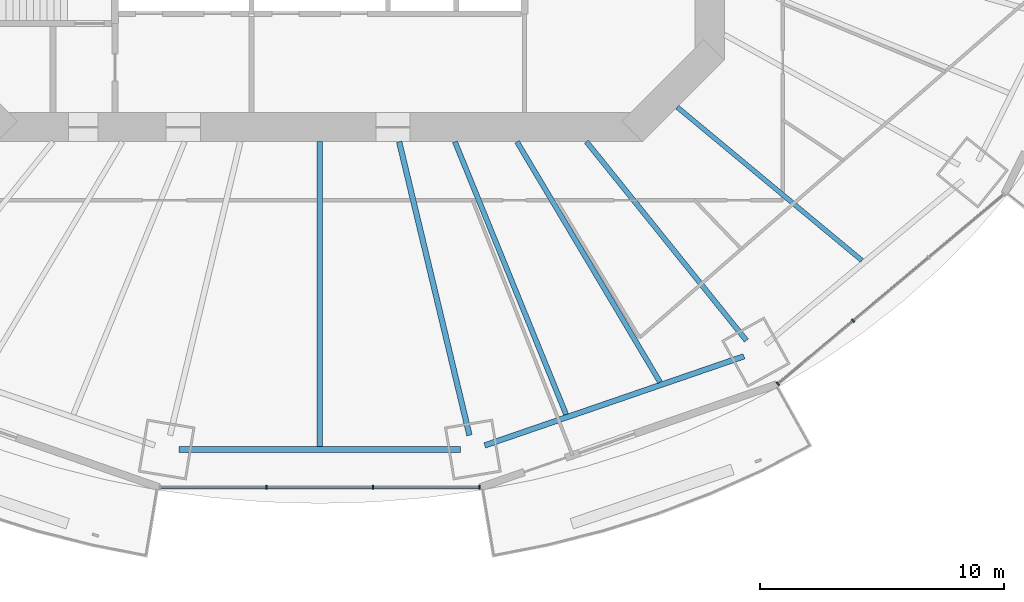
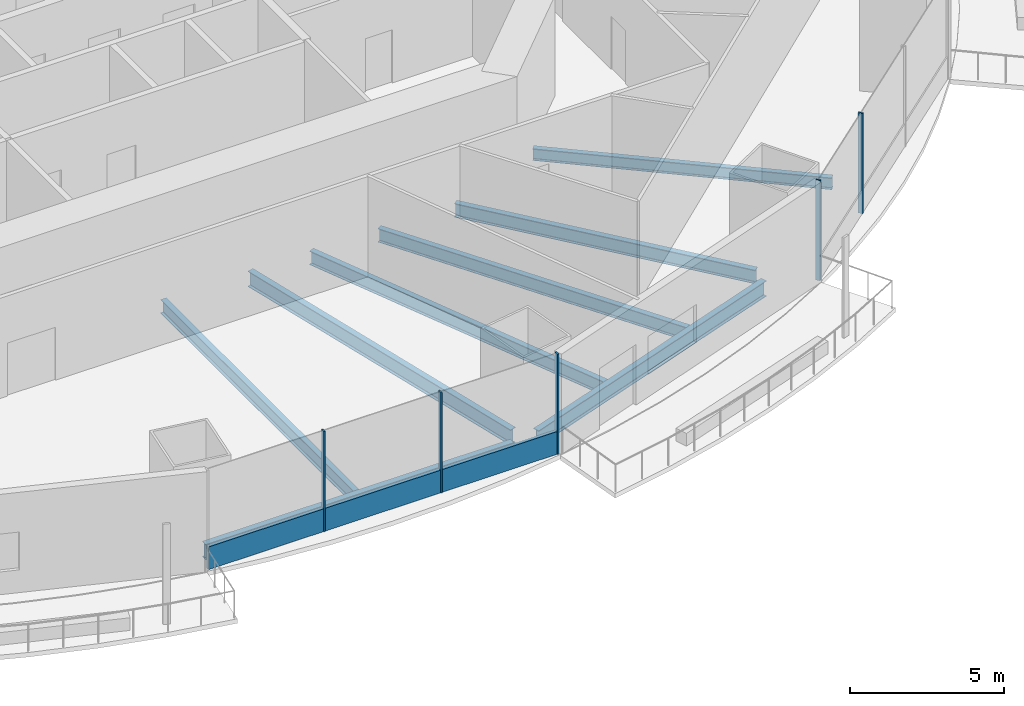
# One storey, part 4 of 21: 8 beams, 6 members, 2 elements without a shape of their own.
"""IFC4 building model written with IfcOpenShell, lengths in metres."""

from ifc_helpers import new_model, si_unit, direction, frame, origin, origin_2d, place, context, subcontext, project, spatial, rectangle, i_section, extrude, material, material_profile, profile_set, type_object, element, aggregate, save


model = new_model("IFC4")

# Units and contexts
model_context = context("Model", 3, precision=1e-05, world=origin(), true_north=direction((0.0, 1.0)))
body_context = subcontext(model_context, "Body", "Model", "MODEL_VIEW")
ifc_project = project(units=[si_unit("LENGTHUNIT", "METRE"), si_unit("AREAUNIT", "SQUARE_METRE"), si_unit("VOLUMEUNIT", "CUBIC_METRE"), si_unit("PLANEANGLEUNIT", "RADIAN"), si_unit("MASSUNIT", "GRAM", prefix="KILO")], contexts=[model_context])

# Site, building, storey
site_placement = place(None, origin())
site = spatial("IfcSite", under=ifc_project, at=site_placement, CompositionType="ELEMENT")
building_placement = place(site_placement, origin())
building = spatial("IfcBuilding", under=site, at=building_placement, Name="Marenthal Gate Tower", CompositionType="ELEMENT")
storey_placement = place(building_placement, frame((0.0, 0.0, 124.300048828125)))
storey = spatial("IfcBuildingStorey", under=building, at=storey_placement, Name="L26", CompositionType="ELEMENT", Elevation=124.300048828125)

# Curtain wall, members
ifc_material_1 = material(Name="Aluminium and glass", Category="aluminium")
curtain_wall_type = type_object("IfcCurtainWallType", Name="Curtain wall typical low", PredefinedType="NOTDEFINED", material=ifc_material_1)
curtain_wall_1_placement = place(storey_placement, origin())
curtain_wall_1 = element("IfcCurtainWall", 1, at=curtain_wall_1_placement, inside=storey, type_object=curtain_wall_type, Name="Curtain wall L26 bay 12", PredefinedType="NOTDEFINED")
ifc_material_2 = material(Name="Aluminium", Category="aluminium")
ifc_material_profile_1 = material_profile(ifc_material_2, rectangle(XDim=0.159912109375, YDim=0.06005859375, at=origin_2d()), Name="60x160 aluminium mullion")
ifc_profile_set_1 = profile_set([ifc_material_profile_1], Name="Aluminium")
member_type_1 = type_object("IfcMemberType", Name="Mullion 60x160 typical low", PredefinedType="MULLION", material=ifc_profile_set_1)
member_1_placement = place(storey_placement, frame((-2.18701171875, -27.77783203125, 0.0), z_axis=(0.0, 0.0, 1.0), x_axis=(0.0, 1.0, 0.0)))
member_1 = element("IfcMember", 2, at=member_1_placement, type_object=member_type_1, Name="Mullion L26 bay 12.2", PredefinedType="MULLION", context=body_context, shape_type="SweptSolid", body=[
    extrude(rectangle(XDim=0.159912109375, YDim=0.06005859375, at=origin_2d()), origin(), (0.0, 0.0, 1.0), 3.969970703125),
])
member_2_placement = place(storey_placement, frame((2.18701171875, -27.77783203125, 0.0), z_axis=(0.0, 0.0, 1.0), x_axis=(0.0, 1.0, 0.0)))
member_2 = element("IfcMember", 3, at=member_2_placement, type_object=member_type_1, Name="Mullion L26 bay 12.3", PredefinedType="MULLION", context=body_context, shape_type="SweptSolid", body=[
    extrude(rectangle(XDim=0.159912109375, YDim=0.06005859375, at=origin_2d()), origin(), (0.0, 0.0, 1.0), 3.969970703125),
])
member_3_placement = place(storey_placement, frame((6.560791015625, -27.77783203125, 0.0), z_axis=(0.0, 0.0, 1.0), x_axis=(0.0, 1.0, 0.0)))
member_3 = element("IfcMember", 4, at=member_3_placement, type_object=member_type_1, Name="Mullion L26 bay 12.4", PredefinedType="MULLION", context=body_context, shape_type="SweptSolid", body=[
    extrude(rectangle(XDim=0.159912109375, YDim=0.06005859375, at=origin_2d()), origin(), (0.0, 0.0, 1.0), 3.969970703125),
])

curtain_wall_2_placement = place(storey_placement, origin())
curtain_wall_2 = element("IfcCurtainWall", 5, at=curtain_wall_2_placement, inside=storey, type_object=curtain_wall_type, Name="Curtain wall L26 bay 14", PredefinedType="NOTDEFINED")
member_4_placement = place(storey_placement, frame((18.79248046875, -23.529541015625, 0.0), z_axis=(0.0, 0.0, 1.0), x_axis=(-0.642437868504, 0.766337774817, 0.0)))
member_4 = element("IfcMember", 6, at=member_4_placement, type_object=member_type_1, Name="Mullion L26 bay 14.1", PredefinedType="MULLION", context=body_context, shape_type="SweptSolid", body=[
    extrude(rectangle(XDim=0.159912109375, YDim=0.06005859375, at=origin_2d()), origin(), (0.0, 0.0, 1.0), 3.969970703125),
])
member_5_placement = place(storey_placement, frame((21.884033203125, -20.937744140625, 0.0), z_axis=(0.0, 0.0, 1.0), x_axis=(-0.642437868504, 0.766337774817, 0.0)))
member_5 = element("IfcMember", 7, at=member_5_placement, type_object=member_type_1, Name="Mullion L26 bay 14.2", PredefinedType="MULLION", context=body_context, shape_type="SweptSolid", body=[
    extrude(rectangle(XDim=0.159912109375, YDim=0.06005859375, at=origin_2d()), origin(), (0.0, 0.0, 1.0), 3.969970703125),
])
aggregate(curtain_wall_2, [member_4, member_5])

# Member
ifc_material_3 = material(Name="Aluminium", Category="aluminium")
ifc_material_profile_2 = material_profile(ifc_material_3, rectangle(XDim=0.1201171875, YDim=0.89990234375, at=origin_2d()), Name="120x900 aluminium transom")
ifc_profile_set_2 = profile_set([ifc_material_profile_2], Name="Aluminium")
member_type_2 = type_object("IfcMemberType", Name="Transom 120x900 typical low", PredefinedType="USERDEFINED", material=ifc_profile_set_2)
member_6_placement = place(storey_placement, frame((-6.531005859375, -27.77783203125, 0.449951171875), z_axis=(1.0, 0.0, 0.0), x_axis=(0.0, 1.0, 0.0)))
member_6 = element("IfcMember", 8, at=member_6_placement, type_object=member_type_2, Name="Transom L26 bay 12", ObjectType="TRANSOM", PredefinedType="USERDEFINED", context=body_context, shape_type="SweptSolid", body=[
    extrude(rectangle(XDim=0.1201171875, YDim=0.89990234375, at=origin_2d()), origin(), (0.0, 0.0, 1.0), 13.06201171875),
])

aggregate(curtain_wall_1, [member_1, member_2, member_3, member_6])

# Beams
ifc_material_4 = material(Name="Steel S355", Category="steel")
ifc_material_profile_3 = material_profile(ifc_material_4, i_section(OverallWidth=0.193115234375, OverallDepth=0.467041015625, WebThickness=0.011474609375, FlangeThickness=0.01904296875, FilletRadius=0.010009765625, at=origin_2d()), Name="W460X97")
ifc_profile_set_3 = profile_set([ifc_material_profile_3], Name="Steel S355")
beam_type_1 = type_object("IfcBeamType", Name="W460X97 beam", PredefinedType="BEAM", material=ifc_profile_set_3)
beam_1_placement = place(storey_placement, frame((22.244384765625, -18.4716796875, -0.41357421875), z_axis=(-0.7693296468, 0.638852013031, 0.0), x_axis=(-0.638852013031, -0.7693296468, 0.0)))
element("IfcBeam", 9, at=beam_1_placement, inside=storey, type_object=beam_type_1, Name="BM-L26-37", PredefinedType="BEAM", context=body_context, shape_type="SweptSolid", body=[
    extrude(i_section(OverallWidth=0.193115234375, OverallDepth=0.467041015625, WebThickness=0.011474609375, FlangeThickness=0.01904296875, FilletRadius=0.010009765625, at=origin_2d()), origin(), (0.0, 0.0, 1.0), 9.84765625),
])
ifc_material_5 = material(Name="Steel S355", Category="steel")
ifc_material_profile_4 = material_profile(ifc_material_5, i_section(OverallWidth=0.2099609375, OverallDepth=0.535888671875, WebThickness=0.010986328125, FlangeThickness=0.017333984375, FilletRadius=0.0126953125, at=origin_2d()), Name="W530X101")
ifc_profile_set_4 = profile_set([ifc_material_profile_4], Name="Steel S355")
beam_type_2 = type_object("IfcBeamType", Name="W530X101 beam", PredefinedType="BEAM", material=ifc_profile_set_4)
beam_2_placement = place(storey_placement, frame((13.962158203125, -23.4658203125, -0.447998046875), z_axis=(-0.51133355271, 0.859382335095, 0.0), x_axis=(-0.859382335095, -0.51133355271, 0.0)))
element("IfcBeam", 10, at=beam_2_placement, inside=storey, type_object=beam_type_2, Name="BM-L26-36", PredefinedType="BEAM", context=body_context, shape_type="SweptSolid", body=[
    extrude(i_section(OverallWidth=0.2099609375, OverallDepth=0.535888671875, WebThickness=0.010986328125, FlangeThickness=0.017333984375, FilletRadius=0.0126953125, at=origin_2d()), origin(), (0.0, 0.0, 1.0), 11.47998046875),
])
ifc_material_6 = material(Name="Steel S355", Category="steel")
ifc_material_profile_5 = material_profile(ifc_material_6, i_section(OverallWidth=0.2119140625, OverallDepth=0.5439453125, WebThickness=0.01318359375, FlangeThickness=0.021240234375, FilletRadius=0.0126953125, at=origin_2d()), Name="W530X123")
ifc_profile_set_5 = profile_set([ifc_material_profile_5], Name="Steel S355")
beam_type_3 = type_object("IfcBeamType", Name="W530X123 beam", PredefinedType="BEAM", material=ifc_profile_set_5)
beam_3_placement = place(storey_placement, frame((17.505126953125, -21.755126953125, -0.4521484375), z_axis=(-0.626891327439, 0.779106708726, 0.0), x_axis=(-0.779106708726, -0.626891327439, 0.0)))
element("IfcBeam", 11, at=beam_3_placement, inside=storey, type_object=beam_type_3, Name="BM-L26-14", PredefinedType="BEAM", context=body_context, shape_type="SweptSolid", body=[
    extrude(i_section(OverallWidth=0.2119140625, OverallDepth=0.5439453125, WebThickness=0.01318359375, FlangeThickness=0.021240234375, FilletRadius=0.0126953125, at=origin_2d()), origin(), (0.0, 0.0, 1.0), 10.467041015625),
])
beam_4_placement = place(storey_placement, frame((0.0, -26.11376953125, -0.4521484375), z_axis=(0.0, 1.0, 0.0), x_axis=(-1.0, 0.0, 0.0)))
element("IfcBeam", 12, at=beam_4_placement, inside=storey, type_object=beam_type_3, Name="BM-L26-34", PredefinedType="BEAM", context=body_context, shape_type="SweptSolid", body=[
    extrude(i_section(OverallWidth=0.2119140625, OverallDepth=0.5439453125, WebThickness=0.01318359375, FlangeThickness=0.021240234375, FilletRadius=0.0126953125, at=origin_2d()), origin(), (0.0, 0.0, 1.0), 12.513671875),
])
beam_5_placement = place(storey_placement, frame((10.10888671875, -24.791015625, -0.4521484375), z_axis=(-0.377578568114, 0.92597755097, 0.0), x_axis=(-0.92597755097, -0.377578568114, 0.0)))
element("IfcBeam", 13, at=beam_5_placement, inside=storey, type_object=beam_type_3, Name="BM-L26-35", PredefinedType="BEAM", context=body_context, shape_type="SweptSolid", body=[
    extrude(i_section(OverallWidth=0.2119140625, OverallDepth=0.5439453125, WebThickness=0.01318359375, FlangeThickness=0.021240234375, FilletRadius=0.0126953125, at=origin_2d()), origin(), (0.0, 0.0, 1.0), 12.08544921875),
])
ifc_material_7 = material(Name="Steel S355", Category="steel")
ifc_material_profile_6 = material_profile(ifc_material_7, i_section(OverallWidth=0.22900390625, OverallDepth=0.612060546875, WebThickness=0.011962890625, FlangeThickness=0.01953125, FilletRadius=0.0126953125, at=origin_2d()), Name="W610X125")
ifc_profile_set_6 = profile_set([ifc_material_profile_6], Name="Steel S355")
beam_type_4 = type_object("IfcBeamType", Name="W610X125 beam", PredefinedType="BEAM", material=ifc_profile_set_6)
beam_6_placement = place(storey_placement, frame((6.142333984375, -25.641845703125, -0.486083984375), z_axis=(-0.232953092767, 0.972487972455, 0.0), x_axis=(-0.972487972455, -0.232953092767, 0.0)))
element("IfcBeam", 14, at=beam_6_placement, inside=storey, type_object=beam_type_4, Name="BM-L26-13", PredefinedType="BEAM", context=body_context, shape_type="SweptSolid", body=[
    extrude(i_section(OverallWidth=0.22900390625, OverallDepth=0.612060546875, WebThickness=0.011962890625, FlangeThickness=0.01953125, FilletRadius=0.0126953125, at=origin_2d()), origin(), (0.0, 0.0, 1.0), 12.38232421875),
])
beam_7_placement = place(storey_placement, frame((-5.769287109375, -26.228271484375, -0.486083984375), z_axis=(1.0, 0.0, 0.0), x_axis=(0.0, 1.0, 0.0)))
element("IfcBeam", 15, at=beam_7_placement, inside=storey, type_object=beam_type_4, Name="BM-L26-52", PredefinedType="BEAM", context=body_context, shape_type="SweptSolid", body=[
    extrude(i_section(OverallWidth=0.22900390625, OverallDepth=0.612060546875, WebThickness=0.011962890625, FlangeThickness=0.01953125, FilletRadius=0.0126953125, at=origin_2d()), origin(), (0.0, 0.0, 1.0), 11.53857421875),
])
beam_8_placement = place(storey_placement, frame((6.76904296875, -26.060791015625, -0.486083984375), z_axis=(0.945627146872, 0.325252669626, 0.0), x_axis=(-0.325252669626, 0.945627146872, 0.0)))
element("IfcBeam", 16, at=beam_8_placement, inside=storey, type_object=beam_type_4, Name="BM-L26-53", PredefinedType="BEAM", context=body_context, shape_type="SweptSolid", body=[
    extrude(i_section(OverallWidth=0.22900390625, OverallDepth=0.612060546875, WebThickness=0.011962890625, FlangeThickness=0.01953125, FilletRadius=0.0126953125, at=origin_2d()), origin(), (0.0, 0.0, 1.0), 11.24658203125),
])

save(model, "model.ifc")
